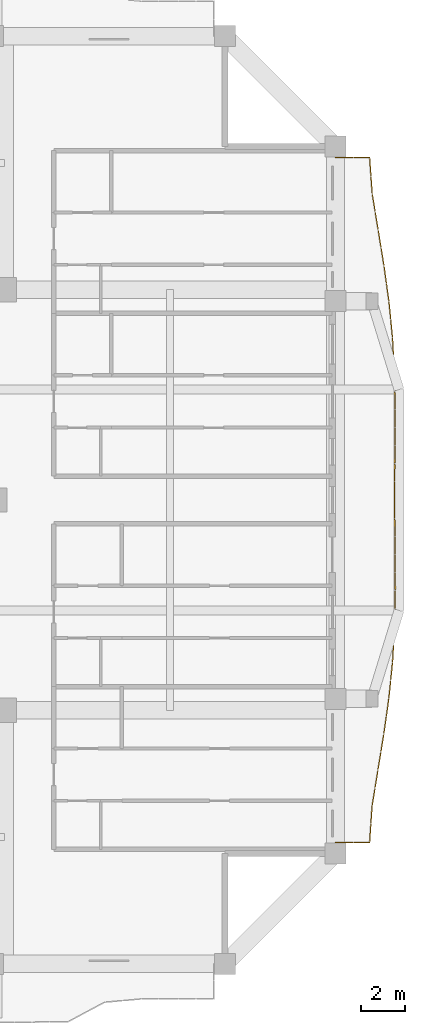
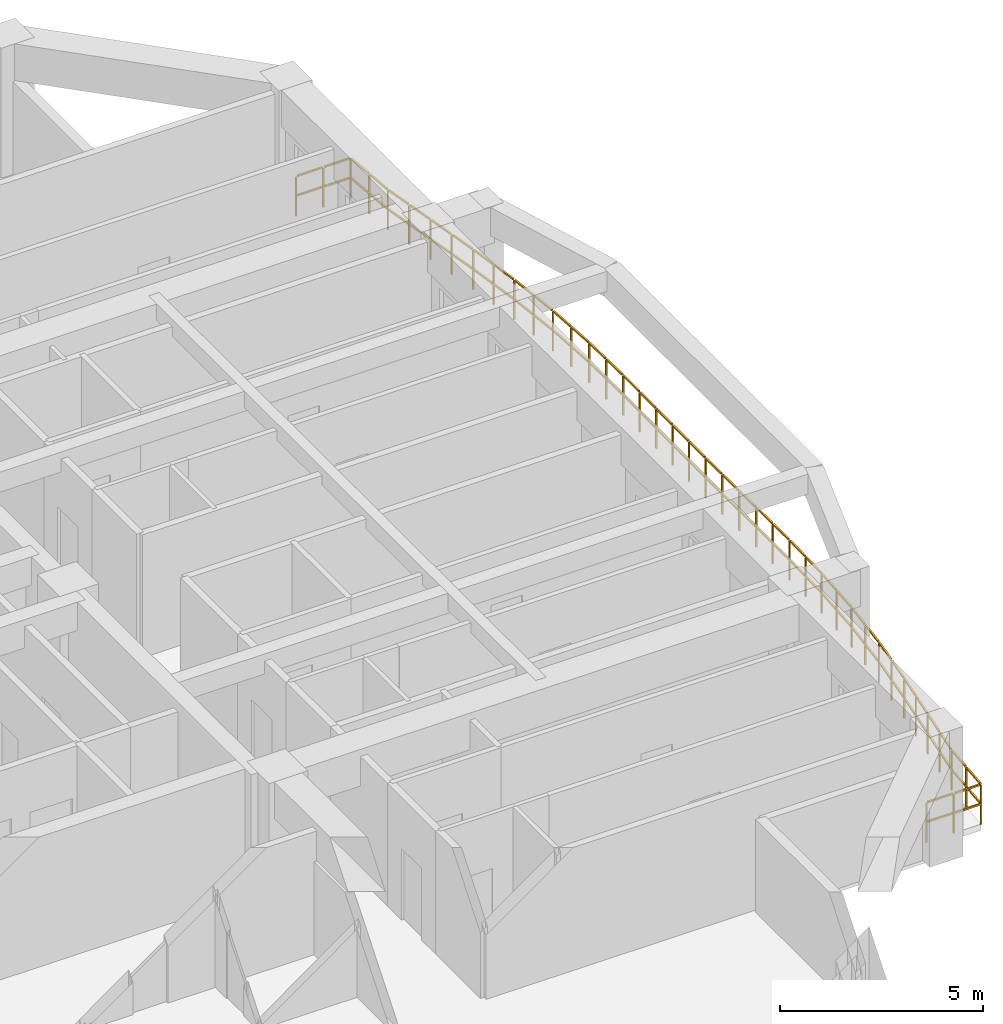
# One storey, part 14 of 15: 1 railing.
"""IFC4 building model written with IfcOpenShell, lengths in metres."""

from ifc_helpers import new_model, si_unit, direction, frame, origin, origin_2d, place, context, subcontext, project, spatial, rectangle, extrude, material, type_object, element, save


model = new_model("IFC4")

# Units and contexts
model_context = context("Model", 3, precision=1e-05, world=origin(), true_north=direction((0.0, 1.0)))
body_context = subcontext(model_context, "Body", "Model", "MODEL_VIEW")
ifc_project = project(units=[si_unit("LENGTHUNIT", "METRE"), si_unit("AREAUNIT", "SQUARE_METRE"), si_unit("VOLUMEUNIT", "CUBIC_METRE"), si_unit("PLANEANGLEUNIT", "RADIAN"), si_unit("MASSUNIT", "GRAM", prefix="KILO")], contexts=[model_context])

# Site, building, storey
site_placement = place(None, origin())
site = spatial("IfcSite", under=ifc_project, at=site_placement, CompositionType="ELEMENT")
building_placement = place(site_placement, origin())
building = spatial("IfcBuilding", under=site, at=building_placement, Name="Saelheon Loggia Tower", CompositionType="ELEMENT")
storey_placement = place(building_placement, frame((0.0, 0.0, 159.10009765625)))
storey = spatial("IfcBuildingStorey", under=building, at=storey_placement, Name="L50", CompositionType="ELEMENT", Elevation=159.10009765625)

# Railing
ifc_material = material(Name="Architectural Precast Concrete and Laminated Glass Guard", Category="concrete")
railing_type = type_object("IfcRailingType", Name="Guard_Loggia_RL_LOG", PredefinedType="BALUSTRADE", material=ifc_material)
railing_placement = place(storey_placement, frame((60.0, 11.5, 0.0)))
element("IfcRailing", 1, at=railing_placement, inside=storey, type_object=railing_type, Name="L50 East Loggia Balustrade", PredefinedType="BALUSTRADE", context=body_context, shape_type="SweptSolid", body=[
    extrude(rectangle(XDim=0.048095703125, YDim=0.048095703125, at=origin_2d()), frame((0.033203125, 0.0, 1.19580078125), z_axis=(1.0, 0.0, 0.0), x_axis=(0.0, 1.0, 0.0)), (0.0, 0.0, 1.0), 0.70849609375),
    extrude(rectangle(XDim=0.048095703125, YDim=0.048095703125, at=origin_2d()), frame((0.033203125, 0.0, 0.60986328125), z_axis=(1.0, 0.0, 0.0), x_axis=(0.0, 1.0, 0.0)), (0.0, 0.0, 1.0), 0.70849609375),
    extrude(rectangle(XDim=0.048095703125, YDim=0.048095703125, at=origin_2d()), frame((0.808349609375, 0.0, 1.19580078125), z_axis=(1.0, 0.0, 0.0), x_axis=(0.0, 1.0, 0.0)), (0.0, 0.0, 1.0), 0.70849609375),
    extrude(rectangle(XDim=0.048095703125, YDim=0.048095703125, at=origin_2d()), frame((0.808349609375, 0.0, 0.60986328125), z_axis=(1.0, 0.0, 0.0), x_axis=(0.0, 1.0, 0.0)), (0.0, 0.0, 1.0), 0.70849609375),
    extrude(rectangle(XDim=0.048095703125, YDim=0.048095703125, at=origin_2d()), frame((1.55224609375, 0.033203125, 1.19580078125), z_axis=(0.067628741853, 0.99771055586, 0.0), x_axis=(-0.99771055586, 0.067628741853, 0.0)), (0.0, 0.0, 1.0), 0.751220703125),
    extrude(rectangle(XDim=0.048095703125, YDim=0.048095703125, at=origin_2d()), frame((1.55224609375, 0.033203125, 0.60986328125), z_axis=(0.067628741853, 0.99771055586, 0.0), x_axis=(-0.99771055586, 0.067628741853, 0.0)), (0.0, 0.0, 1.0), 0.751220703125),
    extrude(rectangle(XDim=0.048095703125, YDim=0.048095703125, at=origin_2d()), frame((1.607666015625, 0.848876953125, 1.19580078125), z_axis=(0.067628741853, 0.99771055586, 0.0), x_axis=(-0.99771055586, 0.067628741853, 0.0)), (0.0, 0.0, 1.0), 0.751220703125),
    extrude(rectangle(XDim=0.048095703125, YDim=0.048095703125, at=origin_2d()), frame((1.607666015625, 0.848876953125, 0.60986328125), z_axis=(0.067628741853, 0.99771055586, 0.0), x_axis=(-0.99771055586, 0.067628741853, 0.0)), (0.0, 0.0, 1.0), 0.751220703125),
    extrude(rectangle(XDim=0.048095703125, YDim=0.048095703125, at=origin_2d()), frame((1.666015625, 1.664306640625, 1.19580078125), z_axis=(0.160110055306, 0.98709916938, 0.0), x_axis=(-0.98709916938, 0.160110055306, 0.0)), (0.0, 0.0, 1.0), 0.760009765625),
    extrude(rectangle(XDim=0.048095703125, YDim=0.048095703125, at=origin_2d()), frame((1.666015625, 1.664306640625, 0.60986328125), z_axis=(0.160110055306, 0.98709916938, 0.0), x_axis=(-0.98709916938, 0.160110055306, 0.0)), (0.0, 0.0, 1.0), 0.760009765625),
    extrude(rectangle(XDim=0.048095703125, YDim=0.048095703125, at=origin_2d()), frame((1.79833984375, 2.480224609375, 1.19580078125), z_axis=(0.160110055306, 0.98709916938, 0.0), x_axis=(-0.98709916938, 0.160110055306, 0.0)), (0.0, 0.0, 1.0), 0.760009765625),
    extrude(rectangle(XDim=0.048095703125, YDim=0.048095703125, at=origin_2d()), frame((1.79833984375, 2.480224609375, 0.60986328125), z_axis=(0.160110055306, 0.98709916938, 0.0), x_axis=(-0.98709916938, 0.160110055306, 0.0)), (0.0, 0.0, 1.0), 0.760009765625),
    extrude(rectangle(XDim=0.048095703125, YDim=0.048095703125, at=origin_2d()), frame((1.9306640625, 3.2958984375, 1.19580078125), z_axis=(0.161117220902, 0.986935277072, 0.0), x_axis=(-0.986935277072, 0.161117220902, 0.0)), (0.0, 0.0, 1.0), 0.760009765625),
    extrude(rectangle(XDim=0.048095703125, YDim=0.048095703125, at=origin_2d()), frame((1.9306640625, 3.2958984375, 0.60986328125), z_axis=(0.161117220902, 0.986935277072, 0.0), x_axis=(-0.986935277072, 0.161117220902, 0.0)), (0.0, 0.0, 1.0), 0.760009765625),
    extrude(rectangle(XDim=0.048095703125, YDim=0.048095703125, at=origin_2d()), frame((2.063720703125, 4.11181640625, 1.19580078125), z_axis=(0.161117220902, 0.986935277072, 0.0), x_axis=(-0.986935277072, 0.161117220902, 0.0)), (0.0, 0.0, 1.0), 0.760009765625),
    extrude(rectangle(XDim=0.048095703125, YDim=0.048095703125, at=origin_2d()), frame((2.063720703125, 4.11181640625, 0.60986328125), z_axis=(0.161117220902, 0.986935277072, 0.0), x_axis=(-0.986935277072, 0.161117220902, 0.0)), (0.0, 0.0, 1.0), 0.760009765625),
    extrude(rectangle(XDim=0.048095703125, YDim=0.048095703125, at=origin_2d()), frame((2.1962890625, 4.927734375, 1.19580078125), z_axis=(0.140010734184, 0.990149985766, 0.0), x_axis=(-0.990149985766, 0.140010734184, 0.0)), (0.0, 0.0, 1.0), 0.75732421875),
    extrude(rectangle(XDim=0.048095703125, YDim=0.048095703125, at=origin_2d()), frame((2.1962890625, 4.927734375, 0.60986328125), z_axis=(0.140010734184, 0.990149985766, 0.0), x_axis=(-0.990149985766, 0.140010734184, 0.0)), (0.0, 0.0, 1.0), 0.75732421875),
    extrude(rectangle(XDim=0.048095703125, YDim=0.048095703125, at=origin_2d()), frame((2.311767578125, 5.743408203125, 1.19580078125), z_axis=(0.140010734184, 0.990149985766, 0.0), x_axis=(-0.990149985766, 0.140010734184, 0.0)), (0.0, 0.0, 1.0), 0.75732421875),
    extrude(rectangle(XDim=0.048095703125, YDim=0.048095703125, at=origin_2d()), frame((2.311767578125, 5.743408203125, 0.60986328125), z_axis=(0.140010734184, 0.990149985766, 0.0), x_axis=(-0.990149985766, 0.140010734184, 0.0)), (0.0, 0.0, 1.0), 0.75732421875),
    extrude(rectangle(XDim=0.048095703125, YDim=0.048095703125, at=origin_2d()), frame((2.42578125, 6.559326171875, 1.19580078125), z_axis=(0.101228042651, 0.994863248583, 0.0), x_axis=(-0.994863248583, 0.101228042651, 0.0)), (0.0, 0.0, 1.0), 0.75341796875),
    extrude(rectangle(XDim=0.048095703125, YDim=0.048095703125, at=origin_2d()), frame((2.42578125, 6.559326171875, 0.60986328125), z_axis=(0.101228042651, 0.994863248583, 0.0), x_axis=(-0.994863248583, 0.101228042651, 0.0)), (0.0, 0.0, 1.0), 0.75341796875),
    extrude(rectangle(XDim=0.048095703125, YDim=0.048095703125, at=origin_2d()), frame((2.5087890625, 7.375244140625, 1.19580078125), z_axis=(0.101228042651, 0.994863248583, 0.0), x_axis=(-0.994863248583, 0.101228042651, 0.0)), (0.0, 0.0, 1.0), 0.75341796875),
    extrude(rectangle(XDim=0.048095703125, YDim=0.048095703125, at=origin_2d()), frame((2.5087890625, 7.375244140625, 0.60986328125), z_axis=(0.101228042651, 0.994863248583, 0.0), x_axis=(-0.994863248583, 0.101228042651, 0.0)), (0.0, 0.0, 1.0), 0.75341796875),
    extrude(rectangle(XDim=0.048095703125, YDim=0.048095703125, at=origin_2d()), frame((2.59033203125, 8.191162109375, 1.19580078125), z_axis=(0.056024393999, 0.998429400247, 0.0), x_axis=(-0.998429400247, 0.056024393999, 0.0)), (0.0, 0.0, 1.0), 0.750732421875),
    extrude(rectangle(XDim=0.048095703125, YDim=0.048095703125, at=origin_2d()), frame((2.59033203125, 8.191162109375, 0.60986328125), z_axis=(0.056024393999, 0.998429400247, 0.0), x_axis=(-0.998429400247, 0.056024393999, 0.0)), (0.0, 0.0, 1.0), 0.750732421875),
    extrude(rectangle(XDim=0.048095703125, YDim=0.048095703125, at=origin_2d()), frame((2.635986328125, 9.0068359375, 1.19580078125), z_axis=(0.056024393999, 0.998429400247, 0.0), x_axis=(-0.998429400247, 0.056024393999, 0.0)), (0.0, 0.0, 1.0), 0.750732421875),
    extrude(rectangle(XDim=0.048095703125, YDim=0.048095703125, at=origin_2d()), frame((2.635986328125, 9.0068359375, 0.60986328125), z_axis=(0.056024393999, 0.998429400247, 0.0), x_axis=(-0.998429400247, 0.056024393999, 0.0)), (0.0, 0.0, 1.0), 0.750732421875),
    extrude(rectangle(XDim=0.048095703125, YDim=0.048095703125, at=origin_2d()), frame((2.680419921875, 9.82275390625, 1.19580078125), z_axis=(0.017354860032, 0.999849393075, 0.0), x_axis=(-0.999849393075, 0.017354860032, 0.0)), (0.0, 0.0, 1.0), 0.74951171875),
    extrude(rectangle(XDim=0.048095703125, YDim=0.048095703125, at=origin_2d()), frame((2.680419921875, 9.82275390625, 0.60986328125), z_axis=(0.017354860032, 0.999849393075, 0.0), x_axis=(-0.999849393075, 0.017354860032, 0.0)), (0.0, 0.0, 1.0), 0.74951171875),
    extrude(rectangle(XDim=0.048095703125, YDim=0.048095703125, at=origin_2d()), frame((2.694580078125, 10.638671875, 1.19580078125), z_axis=(0.017354860032, 0.999849393075, 0.0), x_axis=(-0.999849393075, 0.017354860032, 0.0)), (0.0, 0.0, 1.0), 0.74951171875),
    extrude(rectangle(XDim=0.048095703125, YDim=0.048095703125, at=origin_2d()), frame((2.694580078125, 10.638671875, 0.60986328125), z_axis=(0.017354860032, 0.999849393075, 0.0), x_axis=(-0.999849393075, 0.017354860032, 0.0)), (0.0, 0.0, 1.0), 0.74951171875),
    extrude(rectangle(XDim=0.048095703125, YDim=0.048095703125, at=origin_2d()), frame((2.7080078125, 11.454345703125, 1.19580078125), z_axis=(-0.005237880856, 0.999986282208, 0.0), x_axis=(-0.999986282208, -0.005237880856, 0.0)), (0.0, 0.0, 1.0), 0.749267578125),
    extrude(rectangle(XDim=0.048095703125, YDim=0.048095703125, at=origin_2d()), frame((2.7080078125, 11.454345703125, 0.60986328125), z_axis=(-0.005237880856, 0.999986282208, 0.0), x_axis=(-0.999986282208, -0.005237880856, 0.0)), (0.0, 0.0, 1.0), 0.749267578125),
    extrude(rectangle(XDim=0.048095703125, YDim=0.048095703125, at=origin_2d()), frame((2.703857421875, 12.27001953125, 1.19580078125), z_axis=(-0.005237880856, 0.999986282208, 0.0), x_axis=(-0.999986282208, -0.005237880856, 0.0)), (0.0, 0.0, 1.0), 0.749267578125),
    extrude(rectangle(XDim=0.048095703125, YDim=0.048095703125, at=origin_2d()), frame((2.703857421875, 12.27001953125, 0.60986328125), z_axis=(-0.005237880856, 0.999986282208, 0.0), x_axis=(-0.999986282208, -0.005237880856, 0.0)), (0.0, 0.0, 1.0), 0.749267578125),
    extrude(rectangle(XDim=0.048095703125, YDim=0.048095703125, at=origin_2d()), frame((2.699462890625, 13.085693359375, 1.19580078125), z_axis=(-0.009725710874, 0.999952704156, 0.0), x_axis=(-0.999952704156, -0.009725710874, 0.0)), (0.0, 0.0, 1.0), 0.749267578125),
    extrude(rectangle(XDim=0.048095703125, YDim=0.048095703125, at=origin_2d()), frame((2.699462890625, 13.085693359375, 0.60986328125), z_axis=(-0.009725710874, 0.999952704156, 0.0), x_axis=(-0.999952704156, -0.009725710874, 0.0)), (0.0, 0.0, 1.0), 0.749267578125),
    extrude(rectangle(XDim=0.048095703125, YDim=0.048095703125, at=origin_2d()), frame((2.69140625, 13.901611328125, 1.19580078125), z_axis=(-0.009725710874, 0.999952704156, 0.0), x_axis=(-0.999952704156, -0.009725710874, 0.0)), (0.0, 0.0, 1.0), 0.749267578125),
    extrude(rectangle(XDim=0.048095703125, YDim=0.048095703125, at=origin_2d()), frame((2.69140625, 13.901611328125, 0.60986328125), z_axis=(-0.009725710874, 0.999952704156, 0.0), x_axis=(-0.999952704156, -0.009725710874, 0.0)), (0.0, 0.0, 1.0), 0.749267578125),
    extrude(rectangle(XDim=0.048095703125, YDim=0.048095703125, at=origin_2d()), frame((2.683837890625, 14.71728515625, 1.19580078125), z_axis=(-0.001944939469, 0.999998108603, 0.0), x_axis=(-0.999998108603, -0.001944939469, 0.0)), (0.0, 0.0, 1.0), 0.74951171875),
    extrude(rectangle(XDim=0.048095703125, YDim=0.048095703125, at=origin_2d()), frame((2.683837890625, 14.71728515625, 0.60986328125), z_axis=(-0.001944939469, 0.999998108603, 0.0), x_axis=(-0.999998108603, -0.001944939469, 0.0)), (0.0, 0.0, 1.0), 0.74951171875),
    extrude(rectangle(XDim=0.048095703125, YDim=0.048095703125, at=origin_2d()), frame((2.68212890625, 15.533203125, 1.19580078125), z_axis=(-0.001944939469, 0.999998108603, 0.0), x_axis=(-0.999998108603, -0.001944939469, 0.0)), (0.0, 0.0, 1.0), 0.74951171875),
    extrude(rectangle(XDim=0.048095703125, YDim=0.048095703125, at=origin_2d()), frame((2.68212890625, 15.533203125, 0.60986328125), z_axis=(-0.001944939469, 0.999998108603, 0.0), x_axis=(-0.999998108603, -0.001944939469, 0.0)), (0.0, 0.0, 1.0), 0.74951171875),
    extrude(rectangle(XDim=0.048095703125, YDim=0.048095703125, at=origin_2d()), frame((2.680908203125, 16.34912109375, 1.19580078125), z_axis=(0.006583726828, 0.999978327036, 0.0), x_axis=(-0.999978327036, 0.006583726828, 0.0)), (0.0, 0.0, 1.0), 0.749267578125),
    extrude(rectangle(XDim=0.048095703125, YDim=0.048095703125, at=origin_2d()), frame((2.680908203125, 16.34912109375, 0.60986328125), z_axis=(0.006583726828, 0.999978327036, 0.0), x_axis=(-0.999978327036, 0.006583726828, 0.0)), (0.0, 0.0, 1.0), 0.749267578125),
    extrude(rectangle(XDim=0.048095703125, YDim=0.048095703125, at=origin_2d()), frame((2.686279296875, 17.1650390625, 1.19580078125), z_axis=(0.006583726828, 0.999978327036, 0.0), x_axis=(-0.999978327036, 0.006583726828, 0.0)), (0.0, 0.0, 1.0), 0.749267578125),
    extrude(rectangle(XDim=0.048095703125, YDim=0.048095703125, at=origin_2d()), frame((2.686279296875, 17.1650390625, 0.60986328125), z_axis=(0.006583726828, 0.999978327036, 0.0), x_axis=(-0.999978327036, 0.006583726828, 0.0)), (0.0, 0.0, 1.0), 0.749267578125),
    extrude(rectangle(XDim=0.048095703125, YDim=0.048095703125, at=origin_2d()), frame((2.691650390625, 17.980712890625, 1.19580078125), z_axis=(0.004339977086, 0.999990582255, 0.0), x_axis=(-0.999990582255, 0.004339977086, 0.0)), (0.0, 0.0, 1.0), 0.749267578125),
    extrude(rectangle(XDim=0.048095703125, YDim=0.048095703125, at=origin_2d()), frame((2.691650390625, 17.980712890625, 0.60986328125), z_axis=(0.004339977086, 0.999990582255, 0.0), x_axis=(-0.999990582255, 0.004339977086, 0.0)), (0.0, 0.0, 1.0), 0.749267578125),
    extrude(rectangle(XDim=0.048095703125, YDim=0.048095703125, at=origin_2d()), frame((2.695068359375, 18.79638671875, 1.19580078125), z_axis=(0.004339977086, 0.999990582255, 0.0), x_axis=(-0.999990582255, 0.004339977086, 0.0)), (0.0, 0.0, 1.0), 0.749267578125),
    extrude(rectangle(XDim=0.048095703125, YDim=0.048095703125, at=origin_2d()), frame((2.695068359375, 18.79638671875, 0.60986328125), z_axis=(0.004339977086, 0.999990582255, 0.0), x_axis=(-0.999990582255, 0.004339977086, 0.0)), (0.0, 0.0, 1.0), 0.749267578125),
    extrude(rectangle(XDim=0.048095703125, YDim=0.048095703125, at=origin_2d()), frame((2.697998046875, 19.612060546875, 1.19580078125), z_axis=(-0.015859145444, 0.999874235845, 0.0), x_axis=(-0.999874235845, -0.015859145444, 0.0)), (0.0, 0.0, 1.0), 0.74951171875),
    extrude(rectangle(XDim=0.048095703125, YDim=0.048095703125, at=origin_2d()), frame((2.697998046875, 19.612060546875, 0.60986328125), z_axis=(-0.015859145444, 0.999874235845, 0.0), x_axis=(-0.999874235845, -0.015859145444, 0.0)), (0.0, 0.0, 1.0), 0.74951171875),
    extrude(rectangle(XDim=0.048095703125, YDim=0.048095703125, at=origin_2d()), frame((2.68505859375, 20.427978515625, 1.19580078125), z_axis=(-0.015859145444, 0.999874235845, 0.0), x_axis=(-0.999874235845, -0.015859145444, 0.0)), (0.0, 0.0, 1.0), 0.74951171875),
    extrude(rectangle(XDim=0.048095703125, YDim=0.048095703125, at=origin_2d()), frame((2.68505859375, 20.427978515625, 0.60986328125), z_axis=(-0.015859145444, 0.999874235845, 0.0), x_axis=(-0.999874235845, -0.015859145444, 0.0)), (0.0, 0.0, 1.0), 0.74951171875),
    extrude(rectangle(XDim=0.048095703125, YDim=0.048095703125, at=origin_2d()), frame((2.6708984375, 21.24365234375, 1.19580078125), z_axis=(-0.052598047159, 0.998615764664, 0.0), x_axis=(-0.998615764664, -0.052598047159, 0.0)), (0.0, 0.0, 1.0), 0.75048828125),
    extrude(rectangle(XDim=0.048095703125, YDim=0.048095703125, at=origin_2d()), frame((2.6708984375, 21.24365234375, 0.60986328125), z_axis=(-0.052598047159, 0.998615764664, 0.0), x_axis=(-0.998615764664, -0.052598047159, 0.0)), (0.0, 0.0, 1.0), 0.75048828125),
    extrude(rectangle(XDim=0.048095703125, YDim=0.048095703125, at=origin_2d()), frame((2.6279296875, 22.059326171875, 1.19580078125), z_axis=(-0.052598047159, 0.998615764664, 0.0), x_axis=(-0.998615764664, -0.052598047159, 0.0)), (0.0, 0.0, 1.0), 0.75048828125),
    extrude(rectangle(XDim=0.048095703125, YDim=0.048095703125, at=origin_2d()), frame((2.6279296875, 22.059326171875, 0.60986328125), z_axis=(-0.052598047159, 0.998615764664, 0.0), x_axis=(-0.998615764664, -0.052598047159, 0.0)), (0.0, 0.0, 1.0), 0.75048828125),
    extrude(rectangle(XDim=0.048095703125, YDim=0.048095703125, at=origin_2d()), frame((2.58349609375, 22.875, 1.19580078125), z_axis=(-0.097542502009, 0.995231360188, 0.0), x_axis=(-0.995231360188, -0.097542502009, 0.0)), (0.0, 0.0, 1.0), 0.753173828125),
    extrude(rectangle(XDim=0.048095703125, YDim=0.048095703125, at=origin_2d()), frame((2.58349609375, 22.875, 0.60986328125), z_axis=(-0.097542502009, 0.995231360188, 0.0), x_axis=(-0.995231360188, -0.097542502009, 0.0)), (0.0, 0.0, 1.0), 0.753173828125),
    extrude(rectangle(XDim=0.048095703125, YDim=0.048095703125, at=origin_2d()), frame((2.50341796875, 23.69091796875, 1.19580078125), z_axis=(-0.097542502009, 0.995231360188, 0.0), x_axis=(-0.995231360188, -0.097542502009, 0.0)), (0.0, 0.0, 1.0), 0.753173828125),
    extrude(rectangle(XDim=0.048095703125, YDim=0.048095703125, at=origin_2d()), frame((2.50341796875, 23.69091796875, 0.60986328125), z_axis=(-0.097542502009, 0.995231360188, 0.0), x_axis=(-0.995231360188, -0.097542502009, 0.0)), (0.0, 0.0, 1.0), 0.753173828125),
    extrude(rectangle(XDim=0.048095703125, YDim=0.048095703125, at=origin_2d()), frame((2.422119140625, 24.506591796875, 1.19580078125), z_axis=(-0.137394685749, 0.990516380646, 0.0), x_axis=(-0.990516380646, -0.137394685749, 0.0)), (0.0, 0.0, 1.0), 0.757080078125),
    extrude(rectangle(XDim=0.048095703125, YDim=0.048095703125, at=origin_2d()), frame((2.422119140625, 24.506591796875, 0.60986328125), z_axis=(-0.137394685749, 0.990516380646, 0.0), x_axis=(-0.990516380646, -0.137394685749, 0.0)), (0.0, 0.0, 1.0), 0.757080078125),
    extrude(rectangle(XDim=0.048095703125, YDim=0.048095703125, at=origin_2d()), frame((2.30908203125, 25.322265625, 1.19580078125), z_axis=(-0.137394685749, 0.990516380646, 0.0), x_axis=(-0.990516380646, -0.137394685749, 0.0)), (0.0, 0.0, 1.0), 0.757080078125),
    extrude(rectangle(XDim=0.048095703125, YDim=0.048095703125, at=origin_2d()), frame((2.30908203125, 25.322265625, 0.60986328125), z_axis=(-0.137394685749, 0.990516380646, 0.0), x_axis=(-0.990516380646, -0.137394685749, 0.0)), (0.0, 0.0, 1.0), 0.757080078125),
    extrude(rectangle(XDim=0.048095703125, YDim=0.048095703125, at=origin_2d()), frame((2.195068359375, 26.137939453125, 1.19580078125), z_axis=(-0.160685639946, 0.987005635807, 0.0), x_axis=(-0.987005635807, -0.160685639946, 0.0)), (0.0, 0.0, 1.0), 0.760009765625),
    extrude(rectangle(XDim=0.048095703125, YDim=0.048095703125, at=origin_2d()), frame((2.195068359375, 26.137939453125, 0.60986328125), z_axis=(-0.160685639946, 0.987005635807, 0.0), x_axis=(-0.987005635807, -0.160685639946, 0.0)), (0.0, 0.0, 1.0), 0.760009765625),
    extrude(rectangle(XDim=0.048095703125, YDim=0.048095703125, at=origin_2d()), frame((2.062255859375, 26.953857421875, 1.19580078125), z_axis=(-0.160685639946, 0.987005635807, 0.0), x_axis=(-0.987005635807, -0.160685639946, 0.0)), (0.0, 0.0, 1.0), 0.760009765625),
    extrude(rectangle(XDim=0.048095703125, YDim=0.048095703125, at=origin_2d()), frame((2.062255859375, 26.953857421875, 0.60986328125), z_axis=(-0.160685639946, 0.987005635807, 0.0), x_axis=(-0.987005635807, -0.160685639946, 0.0)), (0.0, 0.0, 1.0), 0.760009765625),
    extrude(rectangle(XDim=0.048095703125, YDim=0.048095703125, at=origin_2d()), frame((1.929443359375, 27.76953125, 1.19580078125), z_axis=(-0.161980105363, 0.98679402383, 0.0), x_axis=(-0.98679402383, -0.161980105363, 0.0)), (0.0, 0.0, 1.0), 0.76025390625),
    extrude(rectangle(XDim=0.048095703125, YDim=0.048095703125, at=origin_2d()), frame((1.929443359375, 27.76953125, 0.60986328125), z_axis=(-0.161980105363, 0.98679402383, 0.0), x_axis=(-0.98679402383, -0.161980105363, 0.0)), (0.0, 0.0, 1.0), 0.76025390625),
    extrude(rectangle(XDim=0.048095703125, YDim=0.048095703125, at=origin_2d()), frame((1.79541015625, 28.58544921875, 1.19580078125), z_axis=(-0.161980105363, 0.98679402383, 0.0), x_axis=(-0.98679402383, -0.161980105363, 0.0)), (0.0, 0.0, 1.0), 0.76025390625),
    extrude(rectangle(XDim=0.048095703125, YDim=0.048095703125, at=origin_2d()), frame((1.79541015625, 28.58544921875, 0.60986328125), z_axis=(-0.161980105363, 0.98679402383, 0.0), x_axis=(-0.98679402383, -0.161980105363, 0.0)), (0.0, 0.0, 1.0), 0.76025390625),
    extrude(rectangle(XDim=0.048095703125, YDim=0.048095703125, at=origin_2d()), frame((1.66455078125, 29.401611328125, 1.19580078125), z_axis=(-0.071491000488, 0.997441244811, 0.0), x_axis=(-0.997441244811, -0.071491000488, 0.0)), (0.0, 0.0, 1.0), 0.75146484375),
    extrude(rectangle(XDim=0.048095703125, YDim=0.048095703125, at=origin_2d()), frame((1.66455078125, 29.401611328125, 0.60986328125), z_axis=(-0.071491000488, 0.997441244811, 0.0), x_axis=(-0.997441244811, -0.071491000488, 0.0)), (0.0, 0.0, 1.0), 0.75146484375),
    extrude(rectangle(XDim=0.048095703125, YDim=0.048095703125, at=origin_2d()), frame((1.606201171875, 30.21728515625, 1.19580078125), z_axis=(-0.071491000488, 0.997441244811, 0.0), x_axis=(-0.997441244811, -0.071491000488, 0.0)), (0.0, 0.0, 1.0), 0.75146484375),
    extrude(rectangle(XDim=0.048095703125, YDim=0.048095703125, at=origin_2d()), frame((1.606201171875, 30.21728515625, 0.60986328125), z_axis=(-0.071491000488, 0.997441244811, 0.0), x_axis=(-0.997441244811, -0.071491000488, 0.0)), (0.0, 0.0, 1.0), 0.75146484375),
    extrude(rectangle(XDim=0.048095703125, YDim=0.048095703125, at=origin_2d()), frame((1.516845703125, 31.0, 1.19580078125), z_axis=(-1.0, 0.0, 0.0), x_axis=(0.0, -1.0, 0.0)), (0.0, 0.0, 1.0), 0.70849609375),
    extrude(rectangle(XDim=0.048095703125, YDim=0.048095703125, at=origin_2d()), frame((1.516845703125, 31.0, 0.60986328125), z_axis=(-1.0, 0.0, 0.0), x_axis=(0.0, -1.0, 0.0)), (0.0, 0.0, 1.0), 0.70849609375),
    extrude(rectangle(XDim=0.048095703125, YDim=0.048095703125, at=origin_2d()), frame((0.74169921875, 31.0, 1.19580078125), z_axis=(-1.0, 0.0, 0.0), x_axis=(0.0, -1.0, 0.0)), (0.0, 0.0, 1.0), 0.70849609375),
    extrude(rectangle(XDim=0.048095703125, YDim=0.048095703125, at=origin_2d()), frame((0.74169921875, 31.0, 0.60986328125), z_axis=(-1.0, 0.0, 0.0), x_axis=(0.0, -1.0, 0.0)), (0.0, 0.0, 1.0), 0.70849609375),
    extrude(rectangle(XDim=0.0419921875, YDim=0.0419921875, at=origin_2d()), origin(), (0.0, 0.0, 1.0), 1.16796875),
    extrude(rectangle(XDim=0.0419921875, YDim=0.0419921875, at=origin_2d()), frame((0.77490234375, 0.0, 0.0)), (0.0, 0.0, 1.0), 1.16796875),
    extrude(rectangle(XDim=0.0419921875, YDim=0.0419921875, at=origin_2d()), frame((1.550048828125, 0.0, 0.0)), (0.0, 0.0, 1.0), 1.16796875),
    extrude(rectangle(XDim=0.0419921875, YDim=0.0419921875, at=origin_2d()), frame((1.60546875, 0.81591796875, 0.0)), (0.0, 0.0, 1.0), 1.16796875),
    extrude(rectangle(XDim=0.0419921875, YDim=0.0419921875, at=origin_2d()), frame((1.66064453125, 1.631591796875, 0.0)), (0.0, 0.0, 1.0), 1.16796875),
    extrude(rectangle(XDim=0.0419921875, YDim=0.0419921875, at=origin_2d()), frame((1.79296875, 2.447265625, 0.0)), (0.0, 0.0, 1.0), 1.16796875),
    extrude(rectangle(XDim=0.0419921875, YDim=0.0419921875, at=origin_2d()), frame((1.92529296875, 3.26318359375, 0.0)), (0.0, 0.0, 1.0), 1.16796875),
    extrude(rectangle(XDim=0.0419921875, YDim=0.0419921875, at=origin_2d()), frame((2.05859375, 4.0791015625, 0.0)), (0.0, 0.0, 1.0), 1.16796875),
    extrude(rectangle(XDim=0.0419921875, YDim=0.0419921875, at=origin_2d()), frame((2.191650390625, 4.894775390625, 0.0)), (0.0, 0.0, 1.0), 1.16796875),
    extrude(rectangle(XDim=0.0419921875, YDim=0.0419921875, at=origin_2d()), frame((2.30712890625, 5.71044921875, 0.0)), (0.0, 0.0, 1.0), 1.16796875),
    extrude(rectangle(XDim=0.0419921875, YDim=0.0419921875, at=origin_2d()), frame((2.42236328125, 6.5263671875, 0.0)), (0.0, 0.0, 1.0), 1.16796875),
    extrude(rectangle(XDim=0.0419921875, YDim=0.0419921875, at=origin_2d()), frame((2.50537109375, 7.34228515625, 0.0)), (0.0, 0.0, 1.0), 1.16796875),
    extrude(rectangle(XDim=0.0419921875, YDim=0.0419921875, at=origin_2d()), frame((2.58837890625, 8.157958984375, 0.0)), (0.0, 0.0, 1.0), 1.16796875),
    extrude(rectangle(XDim=0.0419921875, YDim=0.0419921875, at=origin_2d()), frame((2.63427734375, 8.9736328125, 0.0)), (0.0, 0.0, 1.0), 1.16796875),
    extrude(rectangle(XDim=0.0419921875, YDim=0.0419921875, at=origin_2d()), frame((2.679931640625, 9.78955078125, 0.0)), (0.0, 0.0, 1.0), 1.16796875),
    extrude(rectangle(XDim=0.0419921875, YDim=0.0419921875, at=origin_2d()), frame((2.694091796875, 10.60546875, 0.0)), (0.0, 0.0, 1.0), 1.16796875),
    extrude(rectangle(XDim=0.0419921875, YDim=0.0419921875, at=origin_2d()), frame((2.708251953125, 11.421142578125, 0.0)), (0.0, 0.0, 1.0), 1.16796875),
    extrude(rectangle(XDim=0.0419921875, YDim=0.0419921875, at=origin_2d()), frame((2.7041015625, 12.23681640625, 0.0)), (0.0, 0.0, 1.0), 1.16796875),
    extrude(rectangle(XDim=0.0419921875, YDim=0.0419921875, at=origin_2d()), frame((2.69970703125, 13.052490234375, 0.0)), (0.0, 0.0, 1.0), 1.16796875),
    extrude(rectangle(XDim=0.0419921875, YDim=0.0419921875, at=origin_2d()), frame((2.69189453125, 13.8681640625, 0.0)), (0.0, 0.0, 1.0), 1.16796875),
    extrude(rectangle(XDim=0.0419921875, YDim=0.0419921875, at=origin_2d()), frame((2.683837890625, 14.68408203125, 0.0)), (0.0, 0.0, 1.0), 1.16796875),
    extrude(rectangle(XDim=0.0419921875, YDim=0.0419921875, at=origin_2d()), frame((2.68212890625, 15.5, 0.0)), (0.0, 0.0, 1.0), 1.16796875),
    extrude(rectangle(XDim=0.0419921875, YDim=0.0419921875, at=origin_2d()), frame((2.6806640625, 16.31591796875, 0.0)), (0.0, 0.0, 1.0), 1.16796875),
    extrude(rectangle(XDim=0.0419921875, YDim=0.0419921875, at=origin_2d()), frame((2.68603515625, 17.1318359375, 0.0)), (0.0, 0.0, 1.0), 1.16796875),
    extrude(rectangle(XDim=0.0419921875, YDim=0.0419921875, at=origin_2d()), frame((2.69140625, 17.947509765625, 0.0)), (0.0, 0.0, 1.0), 1.16796875),
    extrude(rectangle(XDim=0.0419921875, YDim=0.0419921875, at=origin_2d()), frame((2.69482421875, 18.76318359375, 0.0)), (0.0, 0.0, 1.0), 1.16796875),
    extrude(rectangle(XDim=0.0419921875, YDim=0.0419921875, at=origin_2d()), frame((2.698486328125, 19.578857421875, 0.0)), (0.0, 0.0, 1.0), 1.16796875),
    extrude(rectangle(XDim=0.0419921875, YDim=0.0419921875, at=origin_2d()), frame((2.685546875, 20.39453125, 0.0)), (0.0, 0.0, 1.0), 1.16796875),
    extrude(rectangle(XDim=0.0419921875, YDim=0.0419921875, at=origin_2d()), frame((2.672607421875, 21.21044921875, 0.0)), (0.0, 0.0, 1.0), 1.16796875),
    extrude(rectangle(XDim=0.0419921875, YDim=0.0419921875, at=origin_2d()), frame((2.629638671875, 22.0263671875, 0.0)), (0.0, 0.0, 1.0), 1.16796875),
    extrude(rectangle(XDim=0.0419921875, YDim=0.0419921875, at=origin_2d()), frame((2.586669921875, 22.842041015625, 0.0)), (0.0, 0.0, 1.0), 1.16796875),
    extrude(rectangle(XDim=0.0419921875, YDim=0.0419921875, at=origin_2d()), frame((2.5068359375, 23.65771484375, 0.0)), (0.0, 0.0, 1.0), 1.16796875),
    extrude(rectangle(XDim=0.0419921875, YDim=0.0419921875, at=origin_2d()), frame((2.4267578125, 24.4736328125, 0.0)), (0.0, 0.0, 1.0), 1.16796875),
    extrude(rectangle(XDim=0.0419921875, YDim=0.0419921875, at=origin_2d()), frame((2.3134765625, 25.28955078125, 0.0)), (0.0, 0.0, 1.0), 1.16796875),
    extrude(rectangle(XDim=0.0419921875, YDim=0.0419921875, at=origin_2d()), frame((2.200439453125, 26.105224609375, 0.0)), (0.0, 0.0, 1.0), 1.16796875),
    extrude(rectangle(XDim=0.0419921875, YDim=0.0419921875, at=origin_2d()), frame((2.067626953125, 26.9208984375, 0.0)), (0.0, 0.0, 1.0), 1.16796875),
    extrude(rectangle(XDim=0.0419921875, YDim=0.0419921875, at=origin_2d()), frame((1.934814453125, 27.73681640625, 0.0)), (0.0, 0.0, 1.0), 1.16796875),
    extrude(rectangle(XDim=0.0419921875, YDim=0.0419921875, at=origin_2d()), frame((1.80078125, 28.552734375, 0.0)), (0.0, 0.0, 1.0), 1.16796875),
    extrude(rectangle(XDim=0.0419921875, YDim=0.0419921875, at=origin_2d()), frame((1.6669921875, 29.368408203125, 0.0)), (0.0, 0.0, 1.0), 1.16796875),
    extrude(rectangle(XDim=0.0419921875, YDim=0.0419921875, at=origin_2d()), frame((1.6083984375, 30.18408203125, 0.0)), (0.0, 0.0, 1.0), 1.16796875),
    extrude(rectangle(XDim=0.0419921875, YDim=0.0419921875, at=origin_2d()), frame((1.550048828125, 31.0, 0.0)), (0.0, 0.0, 1.0), 1.16796875),
    extrude(rectangle(XDim=0.0419921875, YDim=0.0419921875, at=origin_2d()), frame((0.77490234375, 31.0, 0.0)), (0.0, 0.0, 1.0), 1.16796875),
    extrude(rectangle(XDim=0.0419921875, YDim=0.0419921875, at=origin_2d()), frame((0.0, 31.0, 0.0)), (0.0, 0.0, 1.0), 1.16796875),
])

save(model, "model.ifc")
